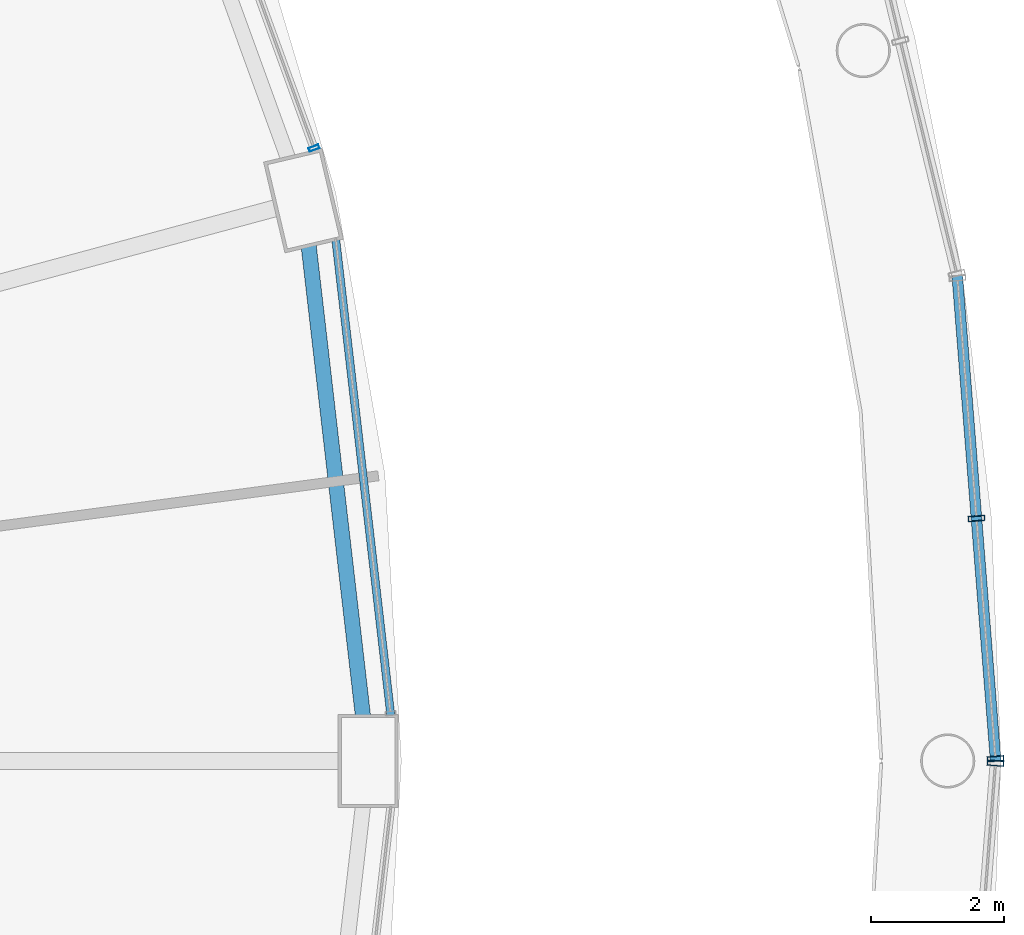
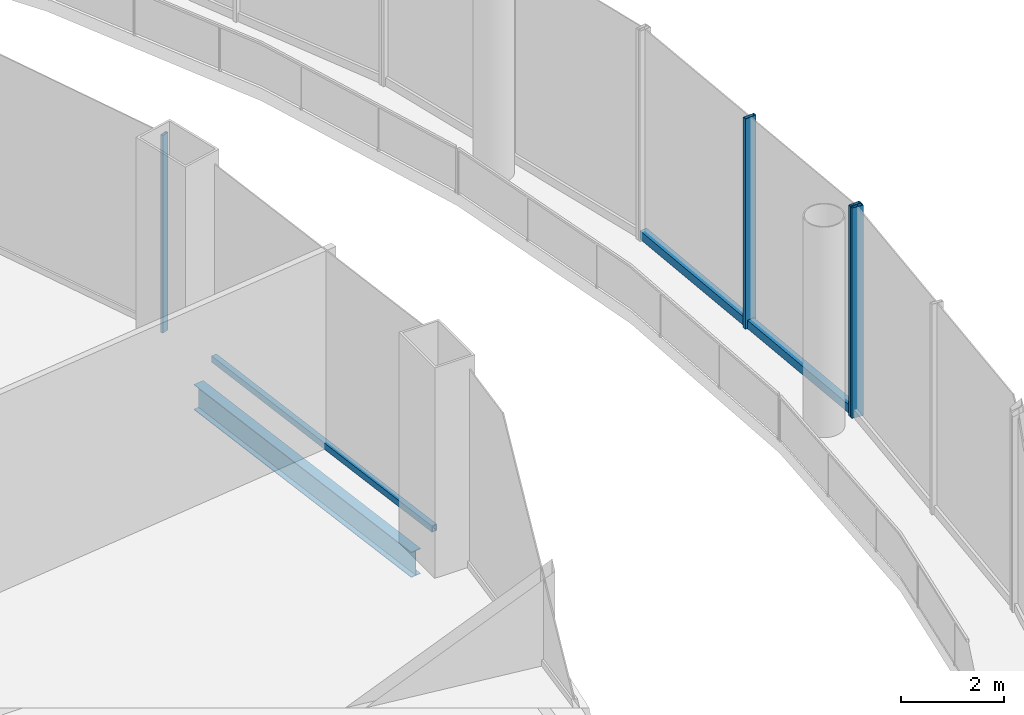
# One storey, part 26 of 47: 6 members, 1 beam, 4 elements without a shape of their own.
"""IFC4 building model written with IfcOpenShell, lengths in metres."""

from ifc_helpers import new_model, si_unit, direction, frame, origin, origin_2d, place, context, subcontext, project, spatial, hollow_rectangle, i_section, extrude, material, layer, layer_set, material_profile, profile_set, type_object, element, aggregate, save


model = new_model("IFC4")

# Units and contexts
model_context = context("Model", 3, precision=1e-05, world=origin(), true_north=direction((0.0, 1.0)))
body_context = subcontext(model_context, "Body", "Model", "MODEL_VIEW")
ifc_project = project(units=[si_unit("LENGTHUNIT", "METRE"), si_unit("AREAUNIT", "SQUARE_METRE"), si_unit("VOLUMEUNIT", "CUBIC_METRE"), si_unit("PLANEANGLEUNIT", "RADIAN"), si_unit("MASSUNIT", "GRAM", prefix="KILO")], contexts=[model_context])

# Site, building, storey
site_placement = place(None, origin())
site = spatial("IfcSite", under=ifc_project, at=site_placement, CompositionType="ELEMENT")
building_placement = place(site_placement, origin())
building = spatial("IfcBuilding", under=site, at=building_placement, Name="Nagisa Residences", CompositionType="ELEMENT")
storey_placement = place(building_placement, frame((0.0, 0.0, 17.0)))
storey = spatial("IfcBuildingStorey", under=building, at=storey_placement, Name="L03", CompositionType="ELEMENT", Elevation=17.0)

# Curtain wall, members
ifc_material_1 = material(Name="Stainless steel curtain wall system", Category="steel")
ifc_layer_1 = layer(ifc_material_1, 0.159912109375)
ifc_layer_set_1 = layer_set([ifc_layer_1], Name="CW3 CURTAIN WALL")
curtain_wall_type_1 = type_object("IfcCurtainWallType", Name="CW3 CURTAIN WALL", PredefinedType="NOTDEFINED", material=ifc_layer_set_1)
curtain_wall_1_placement = place(storey_placement, origin())
curtain_wall_1 = element("IfcCurtainWall", 1, at=curtain_wall_1_placement, inside=storey, type_object=curtain_wall_type_1, Name="cw:CW3:L03:00", PredefinedType="NOTDEFINED")
ifc_material_2 = material(Name="Stainless steel", Category="steel")
ifc_material_profile_1 = material_profile(ifc_material_2, hollow_rectangle(XDim=0.25, YDim=0.080078125, WallThickness=0.008056640625, at=origin_2d()), Name="CW3 MULLION 250x80")
ifc_profile_set_1 = profile_set([ifc_material_profile_1], Name="Stainless steel")
member_type_1 = type_object("IfcMemberType", Name="CW3 MULLION 250x80", PredefinedType="MULLION", material=ifc_profile_set_1)
member_1_placement = place(storey_placement, frame((41.51708984375, 0.033447265625, 0.0), z_axis=(0.0, 0.0, 1.0), x_axis=(-0.996881777235, -0.078909582539, 0.0)))
member_1 = element("IfcMember", 2, at=member_1_placement, type_object=member_type_1, Name="CW3 mullion", PredefinedType="MULLION", context=body_context, shape_type="SweptSolid", body=[
    extrude(hollow_rectangle(XDim=0.25, YDim=0.080078125, WallThickness=0.008056640625, at=origin_2d()), origin(), (0.0, 0.0, 1.0), 5.0),
])
member_2_placement = place(storey_placement, frame((41.231689453125, 3.640380859375, 0.0), z_axis=(0.0, 0.0, 1.0), x_axis=(-0.996881777235, -0.078909582539, 0.0)))
member_2 = element("IfcMember", 3, at=member_2_placement, type_object=member_type_1, Name="CW3 mullion", PredefinedType="MULLION", context=body_context, shape_type="SweptSolid", body=[
    extrude(hollow_rectangle(XDim=0.25, YDim=0.080078125, WallThickness=0.008056640625, at=origin_2d()), origin(), (0.0, 0.0, 1.0), 5.0),
])

# Curtain wall, member
curtain_wall_2_placement = place(storey_placement, origin())
curtain_wall_2 = element("IfcCurtainWall", 4, at=curtain_wall_2_placement, inside=storey, type_object=curtain_wall_type_1, Name="cw:CW3:L03:35", PredefinedType="NOTDEFINED")
member_3_placement = place(storey_placement, frame((41.51708984375, -0.033447265625, 0.0), z_axis=(0.0, 0.0, 1.0), x_axis=(-0.996881777235, 0.078909582539, 0.0)))
member_3 = element("IfcMember", 5, at=member_3_placement, type_object=member_type_1, Name="CW3 mullion", PredefinedType="MULLION", context=body_context, shape_type="SweptSolid", body=[
    extrude(hollow_rectangle(XDim=0.25, YDim=0.080078125, WallThickness=0.008056640625, at=origin_2d()), origin(), (0.0, 0.0, 1.0), 5.0),
])
aggregate(curtain_wall_2, [member_3])

# Member
ifc_material_3 = material(Name="Stainless steel", Category="steel")
ifc_material_profile_2 = material_profile(ifc_material_3, hollow_rectangle(XDim=0.159912109375, YDim=0.199951171875, WallThickness=0.008056640625, at=origin_2d()), Name="CW3 TRANSOM 160x200")
ifc_profile_set_2 = profile_set([ifc_material_profile_2], Name="Stainless steel")
member_type_2 = type_object("IfcMemberType", Name="CW3 TRANSOM 160x200", PredefinedType="USERDEFINED", material=ifc_profile_set_2)
member_4_placement = place(storey_placement, frame((41.520263671875, -0.00634765625, 0.10009765625), z_axis=(-0.078921540002, 0.996880830653, 0.0), x_axis=(-0.996880830653, -0.078921540002, 0.0)))
member_4 = element("IfcMember", 6, at=member_4_placement, type_object=member_type_2, Name="CW3 transom", ObjectType="TRANSOM", PredefinedType="USERDEFINED", context=body_context, shape_type="SweptSolid", body=[
    extrude(hollow_rectangle(XDim=0.159912109375, YDim=0.199951171875, WallThickness=0.008056640625, at=origin_2d()), origin(), (0.0, 0.0, 1.0), 7.31591796875),
])

aggregate(curtain_wall_1, [member_1, member_2, member_4])

# Curtain wall, member
ifc_material_4 = material(Name="Stainless steel curtain wall system", Category="steel")
ifc_layer_2 = layer(ifc_material_4, 0.159912109375)
ifc_layer_set_2 = layer_set([ifc_layer_2], Name="CW6 CURTAIN WALL")
curtain_wall_type_2 = type_object("IfcCurtainWallType", Name="CW6 CURTAIN WALL", PredefinedType="NOTDEFINED", material=ifc_layer_set_2)
curtain_wall_3_placement = place(storey_placement, origin())
curtain_wall_3 = element("IfcCurtainWall", 7, at=curtain_wall_3_placement, inside=storey, type_object=curtain_wall_type_2, Name="cw:CW6:L03:02", PredefinedType="NOTDEFINED")
ifc_material_5 = material(Name="Stainless steel", Category="steel")
ifc_material_profile_3 = material_profile(ifc_material_5, hollow_rectangle(XDim=0.159912109375, YDim=0.06005859375, WallThickness=0.006103515625, at=origin_2d()), Name="CW6 MULLION 160x60")
ifc_profile_set_3 = profile_set([ifc_material_profile_3], Name="Stainless steel")
member_type_3 = type_object("IfcMemberType", Name="CW6 MULLION 160x60", PredefinedType="MULLION", material=ifc_profile_set_3)
member_5_placement = place(storey_placement, frame((31.286865234375, 9.19970703125, 0.0), z_axis=(0.0, 0.0, 1.0), x_axis=(-0.939681861718, -0.342049702176, 0.0)))
member_5 = element("IfcMember", 8, at=member_5_placement, type_object=member_type_3, Name="CW6 mullion", PredefinedType="MULLION", context=body_context, shape_type="SweptSolid", body=[
    extrude(hollow_rectangle(XDim=0.159912109375, YDim=0.06005859375, WallThickness=0.006103515625, at=origin_2d()), origin(), (0.0, 0.0, 1.0), 4.699951171875),
])
aggregate(curtain_wall_3, [member_5])

curtain_wall_4_placement = place(storey_placement, origin())
curtain_wall_4 = element("IfcCurtainWall", 9, at=curtain_wall_4_placement, inside=storey, type_object=curtain_wall_type_2, Name="cw:CW6:L03:00", PredefinedType="NOTDEFINED")
ifc_material_6 = material(Name="Stainless steel", Category="steel")
ifc_material_profile_4 = material_profile(ifc_material_6, hollow_rectangle(XDim=0.1201171875, YDim=0.14990234375, WallThickness=0.008056640625, at=origin_2d()), Name="CW6 TRANSOM 120x150")
ifc_profile_set_4 = profile_set([ifc_material_profile_4], Name="Stainless steel")
member_type_4 = type_object("IfcMemberType", Name="CW6 TRANSOM 120x150", PredefinedType="USERDEFINED", material=ifc_profile_set_4)
member_6_placement = place(storey_placement, frame((32.440185546875, 0.686279296875, 0.074951171875), z_axis=(-0.114949818518, 0.993371299778, 0.0), x_axis=(-0.993371299778, -0.114949818518, 0.0)))
member_6 = element("IfcMember", 10, at=member_6_placement, type_object=member_type_4, Name="CW6 transom", ObjectType="TRANSOM", PredefinedType="USERDEFINED", context=body_context, shape_type="SweptSolid", body=[
    extrude(hollow_rectangle(XDim=0.1201171875, YDim=0.14990234375, WallThickness=0.008056640625, at=origin_2d()), origin(), (0.0, 0.0, 1.0), 7.19775390625),
])
aggregate(curtain_wall_4, [member_6])

# Beam
ifc_material_7 = material(Name="Steel ASTM A572 Gr 50", Category="steel")
ifc_material_profile_5 = material_profile(ifc_material_7, i_section(OverallWidth=0.22802734375, OverallDepth=0.60302734375, WebThickness=0.010498046875, FlangeThickness=0.014892578125, at=origin_2d()), Name="W610x101")
ifc_profile_set_5 = profile_set([ifc_material_profile_5], Name="Steel ASTM A572 Gr 50")
beam_type = type_object("IfcBeamType", Name="Perimeter ring beam W610x101", PredefinedType="BEAM", material=ifc_profile_set_5)
beam_placement = place(storey_placement, frame((32.021484375, 0.68017578125, -0.6015625), z_axis=(-0.114673717321, 0.993403210462, 0.0), x_axis=(-0.993403210462, -0.114673717321, 0.0)))
element("IfcBeam", 11, at=beam_placement, inside=storey, type_object=beam_type, Name="beam:L03:pb01", PredefinedType="BEAM", context=body_context, shape_type="SweptSolid", body=[
    extrude(i_section(OverallWidth=0.22802734375, OverallDepth=0.60302734375, WebThickness=0.010498046875, FlangeThickness=0.014892578125, at=origin_2d()), origin(), (0.0, 0.0, 1.0), 7.09814453125),
])

save(model, "model.ifc")
